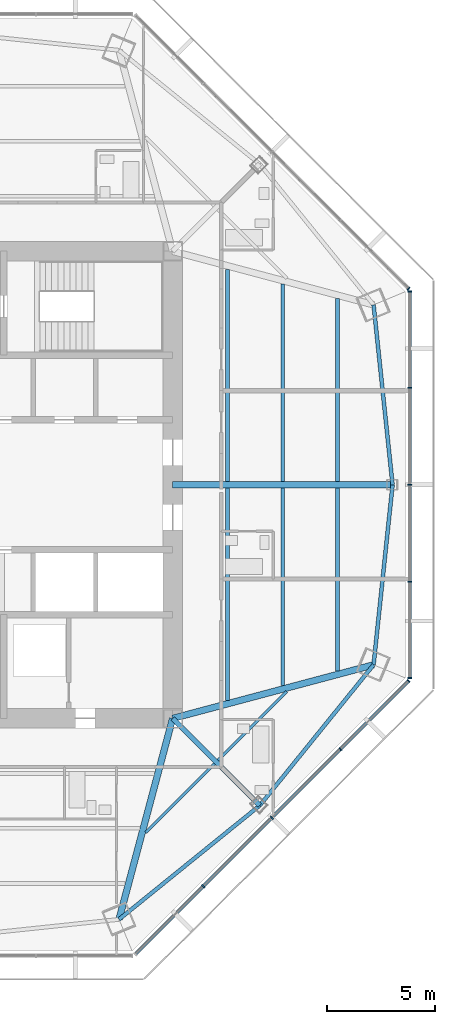
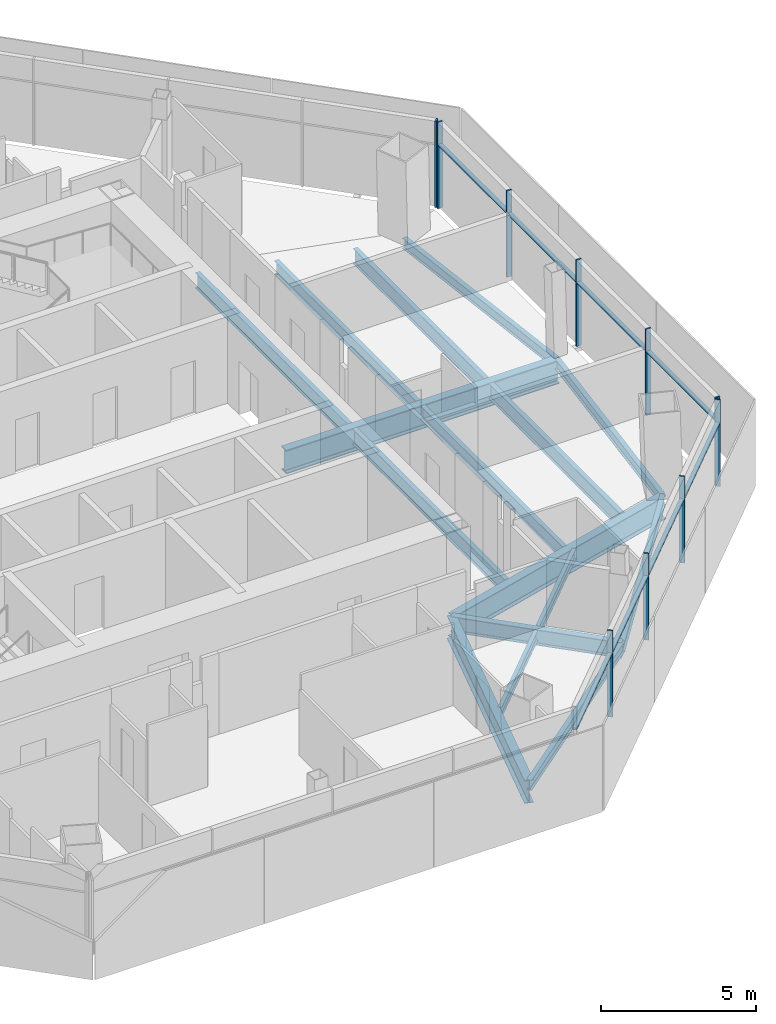
# One storey, part 4 of 15: 18 members, 16 beams, 3 elements without a shape of their own.
"""IFC4 building model written with IfcOpenShell, lengths in metres."""

from ifc_helpers import new_model, si_unit, direction, frame, origin, origin_2d, place, context, subcontext, project, spatial, rectangle, i_section, extrude, source, transform, mapped, material, material_profile, profile_set, type_object, type_shapes, element, aggregate, save


model = new_model("IFC4")

# Units and contexts
model_context = context("Model", 3, precision=1e-05, world=origin(), true_north=direction((0.0, 1.0)))
body_context = subcontext(model_context, "Body", "Model", "MODEL_VIEW")
ifc_project = project(units=[si_unit("LENGTHUNIT", "METRE"), si_unit("AREAUNIT", "SQUARE_METRE"), si_unit("VOLUMEUNIT", "CUBIC_METRE"), si_unit("PLANEANGLEUNIT", "RADIAN"), si_unit("MASSUNIT", "GRAM", prefix="KILO")], contexts=[model_context])

# Site, building, storey
site_placement = place(None, origin())
site = spatial("IfcSite", under=ifc_project, at=site_placement, CompositionType="ELEMENT")
building_placement = place(site_placement, origin())
building = spatial("IfcBuilding", under=site, at=building_placement, Name="Mashrafa Tower", CompositionType="ELEMENT")
storey_placement = place(building_placement, frame((0.0, 0.0, 221.0)))
storey = spatial("IfcBuildingStorey", under=building, at=storey_placement, Name="L51", CompositionType="ELEMENT", Elevation=221.0)

# Beams
ifc_material_1 = material(Name="Steel ASTM A992", Category="steel")
ifc_material_profile_1 = material_profile(ifc_material_1, i_section(OverallWidth=0.140380859375, OverallDepth=0.40380859375, WebThickness=0.007080078125, FlangeThickness=0.01123046875, FilletRadius=0.01025390625, at=origin_2d()), Name="W16X31")
ifc_profile_set_1 = profile_set([ifc_material_profile_1], Name="Steel ASTM A992")
beam_type_1 = type_object("IfcBeamType", Name="Beam W16X31", PredefinedType="BEAM", material=ifc_profile_set_1)
for number, where, z_axis, x_axis, name in (
    (1, (12.732421875, -12.89453125, -0.40185546875), (-0.707106781187, -0.707106781187, 0.0), (0.707106781187, -0.707106781187, 0.0), "Floor beam L51 024"),
    (2, (16.076904296875, -9.550048828125, -0.40185546875), (-0.707106781187, -0.707106781187, 0.0), (0.707106781187, -0.707106781187, 0.0), "Floor beam L51 030"),
):
    element("IfcBeam", number, at=place(storey_placement, frame(where, z_axis=z_axis, x_axis=x_axis)), inside=storey, type_object=beam_type_1, Name=name, PredefinedType="BEAM", context=body_context, shape_type="SweptSolid", body=[
        extrude(i_section(OverallWidth=0.140380859375, OverallDepth=0.40380859375, WebThickness=0.007080078125, FlangeThickness=0.01123046875, FilletRadius=0.01025390625, at=origin_2d()), origin(), (0.0, 0.0, 1.0), 4.50048828125),
    ])
ifc_material_2 = material(Name="Steel ASTM A992", Category="steel")
ifc_material_profile_2 = material_profile(ifc_material_2, i_section(OverallWidth=0.177734375, OverallDepth=0.406494140625, WebThickness=0.0078125, FlangeThickness=0.012939453125, FilletRadius=0.01025390625, at=origin_2d()), Name="W16X40")
ifc_profile_set_2 = profile_set([ifc_material_profile_2], Name="Steel ASTM A992")
beam_type_2 = type_object("IfcBeamType", Name="Beam W16X40", PredefinedType="BEAM", material=ifc_profile_set_2)
for number, where, z_axis, x_axis, name in (
    (3, (8.32177734375, -20.09033203125, -0.4033203125), (0.777398402016, 0.629008525016, 0.0), (-0.629008525016, 0.777398402016, 0.0), "Spandrel beam L51 058"),
    (4, (14.826904296875, -14.826904296875, -0.4033203125), (0.629008525016, 0.777398402016, 0.0), (-0.777398402016, 0.629008525016, 0.0), "Spandrel beam L51 060"),
    (5, (20.09033203125, -8.32177734375, -0.4033203125), (0.104944483385, 0.994478081914, 0.0), (-0.994478081914, 0.104944483385, 0.0), "Spandrel beam L51 062"),
    (6, (20.968505859375, 0.0, -0.4033203125), (-0.104944483385, 0.994478081914, 0.0), (-0.994478081914, -0.104944483385, 0.0), "Spandrel beam L51 064"),
):
    element("IfcBeam", number, at=place(storey_placement, frame(where, z_axis=z_axis, x_axis=x_axis)), inside=storey, type_object=beam_type_2, Name=name, PredefinedType="BEAM", context=body_context, shape_type="SweptSolid", body=[
        extrude(i_section(OverallWidth=0.177734375, OverallDepth=0.406494140625, WebThickness=0.0078125, FlangeThickness=0.012939453125, FilletRadius=0.01025390625, at=origin_2d()), origin(), (0.0, 0.0, 1.0), 8.367919921875),
    ])
ifc_material_3 = material(Name="Steel ASTM A992", Category="steel")
ifc_material_profile_3 = material_profile(ifc_material_3, i_section(OverallWidth=0.1650390625, OverallDepth=0.52587890625, WebThickness=0.0087890625, FlangeThickness=0.011474609375, FilletRadius=0.0126953125, at=origin_2d()), Name="W21X44")
ifc_profile_set_3 = profile_set([ifc_material_profile_3], Name="Steel ASTM A992")
beam_type_3 = type_object("IfcBeamType", Name="Beam W21X44", PredefinedType="BEAM", material=ifc_profile_set_3)
for number, where, z_axis, x_axis, name in (
    (7, (15.88427734375, -0.15380859375, -0.462890625), (0.0, -1.0, 0.0), (1.0, 0.0, 0.0), "Floor beam L51 028"),
    (8, (15.88427734375, 9.285888671875, -0.462890625), (0.0, -1.0, 0.0), (1.0, 0.0, 0.0), "Floor beam L51 029"),
):
    element("IfcBeam", number, at=place(storey_placement, frame(where, z_axis=z_axis, x_axis=x_axis)), inside=storey, type_object=beam_type_3, Name=name, PredefinedType="BEAM", context=body_context, shape_type="SweptSolid", body=[
        extrude(i_section(OverallWidth=0.1650390625, OverallDepth=0.52587890625, WebThickness=0.0087890625, FlangeThickness=0.011474609375, FilletRadius=0.0126953125, at=origin_2d()), origin(), (0.0, 0.0, 1.0), 9.132080078125),
    ])
ifc_material_4 = material(Name="Steel ASTM A992", Category="steel")
ifc_material_profile_4 = material_profile(ifc_material_4, i_section(OverallWidth=0.177978515625, OverallDepth=0.599365234375, WebThickness=0.010009765625, FlangeThickness=0.012939453125, FilletRadius=0.012939453125, at=origin_2d()), Name="W24X55")
ifc_profile_set_4 = profile_set([ifc_material_profile_4], Name="Steel ASTM A992")
beam_type_4 = type_object("IfcBeamType", Name="Beam W24X55", PredefinedType="BEAM", material=ifc_profile_set_4)
for number, where, z_axis, x_axis, name in (
    (9, (13.34228515625, -0.15380859375, -0.499755859375), (0.0, -1.0, 0.0), (1.0, 0.0, 0.0), "Floor beam L51 026"),
    (10, (13.34228515625, 9.964111328125, -0.499755859375), (0.0, -1.0, 0.0), (1.0, 0.0, 0.0), "Floor beam L51 027"),
):
    element("IfcBeam", number, at=place(storey_placement, frame(where, z_axis=z_axis, x_axis=x_axis)), inside=storey, type_object=beam_type_4, Name=name, PredefinedType="BEAM", context=body_context, shape_type="SweptSolid", body=[
        extrude(i_section(OverallWidth=0.177978515625, OverallDepth=0.599365234375, WebThickness=0.010009765625, FlangeThickness=0.012939453125, FilletRadius=0.012939453125, at=origin_2d()), origin(), (0.0, 0.0, 1.0), 9.810302734375),
    ])
for number, where, z_axis, x_axis, name in (
    (11, (18.426513671875, -0.15380859375, -0.499755859375), (0.0, -1.0, 0.0), (1.0, 0.0, 0.0), "Floor beam L51 031"),
    (12, (18.426513671875, 8.60791015625, -0.499755859375), (0.0, -1.0, 0.0), (1.0, 0.0, 0.0), "Floor beam L51 032"),
):
    element("IfcBeam", number, at=place(storey_placement, frame(where, z_axis=z_axis, x_axis=x_axis)), inside=storey, type_object=beam_type_4, Name=name, PredefinedType="BEAM", context=body_context, shape_type="SweptSolid", body=[
        extrude(i_section(OverallWidth=0.177978515625, OverallDepth=0.599365234375, WebThickness=0.010009765625, FlangeThickness=0.012939453125, FilletRadius=0.012939453125, at=origin_2d()), origin(), (0.0, 0.0, 1.0), 8.4541015625),
    ])
ifc_material_5 = material(Name="Steel ASTM A992", Category="steel")
ifc_material_profile_5 = material_profile(ifc_material_5, i_section(OverallWidth=0.22900390625, OverallDepth=0.612060546875, WebThickness=0.011962890625, FlangeThickness=0.01953125, FilletRadius=0.0126953125, at=origin_2d()), Name="W24X84")
ifc_profile_set_5 = profile_set([ifc_material_profile_5], Name="Steel ASTM A992")
beam_type_5 = type_object("IfcBeamType", Name="Beam W24X84", PredefinedType="BEAM", material=ifc_profile_set_5)
beam_1_placement = place(storey_placement, frame((10.800048828125, -10.800048828125, -0.506103515625), z_axis=(0.707106781187, -0.707106781187, 0.0), x_axis=(0.707106781187, 0.707106781187, 0.0)))
element("IfcBeam", 13, at=beam_1_placement, inside=storey, type_object=beam_type_5, Name="Radial girder L51 043", PredefinedType="BEAM", context=body_context, shape_type="SweptSolid", body=[
    extrude(i_section(OverallWidth=0.22900390625, OverallDepth=0.612060546875, WebThickness=0.011962890625, FlangeThickness=0.01953125, FilletRadius=0.0126953125, at=origin_2d()), origin(), (0.0, 0.0, 1.0), 5.69482421875),
])
ifc_material_6 = material(Name="Steel ASTM A992", Category="steel")
ifc_material_profile_6 = material_profile(ifc_material_6, i_section(OverallWidth=0.3046875, OverallDepth=0.911865234375, WebThickness=0.015869140625, FlangeThickness=0.02392578125, FilletRadius=0.01904296875, at=origin_2d()), Name="W36X150")
ifc_profile_set_6 = profile_set([ifc_material_profile_6], Name="Steel ASTM A992")
beam_type_6 = type_object("IfcBeamType", Name="Beam W36X150", PredefinedType="BEAM", material=ifc_profile_set_6)
for number, where, z_axis, x_axis, name in (
    (14, (10.800048828125, -10.800048828125, -0.656005859375), (-0.257746409055, -0.966212600114, 0.0), (0.966212600114, -0.257746409055, 0.0), "Radial girder L51 042"),
    (15, (10.800048828125, -10.800048828125, -0.656005859375), (0.966212600114, 0.257746409055, 0.0), (-0.257746409055, 0.966212600114, 0.0), "Radial girder L51 044"),
):
    element("IfcBeam", number, at=place(storey_placement, frame(where, z_axis=z_axis, x_axis=x_axis)), inside=storey, type_object=beam_type_6, Name=name, PredefinedType="BEAM", context=body_context, shape_type="SweptSolid", body=[
        extrude(i_section(OverallWidth=0.3046875, OverallDepth=0.911865234375, WebThickness=0.015869140625, FlangeThickness=0.02392578125, FilletRadius=0.01904296875, at=origin_2d()), origin(), (0.0, 0.0, 1.0), 9.615234375),
    ])
ifc_material_7 = material(Name="Steel ASTM A992", Category="steel")
ifc_material_profile_7 = material_profile(ifc_material_7, i_section(OverallWidth=0.307373046875, OverallDepth=0.927001953125, WebThickness=0.01953125, FlangeThickness=0.031982421875, FilletRadius=0.01904296875, at=origin_2d()), Name="W36X194")
ifc_profile_set_7 = profile_set([ifc_material_profile_7], Name="Steel ASTM A992")
beam_type_7 = type_object("IfcBeamType", Name="Beam W36X194", PredefinedType="BEAM", material=ifc_profile_set_7)
beam_2_placement = place(storey_placement, frame((10.800048828125, 0.0, -0.66357421875), z_axis=(1.0, 0.0, 0.0), x_axis=(0.0, 1.0, 0.0)))
element("IfcBeam", 16, at=beam_2_placement, inside=storey, type_object=beam_type_7, Name="Radial girder L51 045", PredefinedType="BEAM", context=body_context, shape_type="SweptSolid", body=[
    extrude(i_section(OverallWidth=0.307373046875, OverallDepth=0.927001953125, WebThickness=0.01953125, FlangeThickness=0.031982421875, FilletRadius=0.01904296875, at=origin_2d()), origin(), (0.0, 0.0, 1.0), 10.16845703125),
])

# Curtain wall, members
ifc_material_8 = material(Name="Unitised aluminium curtain wall", Category="aluminium")
curtain_wall_type = type_object("IfcCurtainWallType", Name="Apartment curtain wall, zone 3 CW-C 180 deep", PredefinedType="NOTDEFINED", material=ifc_material_8)
curtain_wall_1_placement = place(storey_placement, origin())
curtain_wall_1 = element("IfcCurtainWall", 17, at=curtain_wall_1_placement, inside=storey, type_object=curtain_wall_type, Name="Apartment curtain wall, zone 3 L51 east", PredefinedType="NOTDEFINED")
ifc_material_9 = material(Name="Extruded aluminium mullion", Category="aluminium")
ifc_material_profile_8 = material_profile(ifc_material_9, rectangle(XDim=0.179931640625, YDim=0.06005859375, at=origin_2d()), Name="Mullion 60x180")
ifc_profile_set_8 = profile_set([ifc_material_profile_8], Name="Extruded aluminium mullion")
member_type_1 = type_object("IfcMemberType", Name="Mullion CW-C 60 x 180", PredefinedType="MULLION", material=ifc_profile_set_8)
shared_shape_1 = source(origin(), body_context, "Body", "SweptSolid", [
    extrude(rectangle(XDim=0.179931640625, YDim=0.06005859375, at=origin_2d()), origin(), (0.0, 0.0, 1.0), 3.39990234375),
])
type_shapes(member_type_1, [shared_shape_1])
member_1_placement = place(storey_placement, frame((21.762939453125, -8.937255859375, 0.0), z_axis=(0.0, 0.0, 1.0), x_axis=(-1.0, 0.0, 0.0)))
member_1 = element("IfcMember", 18, at=member_1_placement, type_object=member_type_1, Name="CW-C mullion 1", PredefinedType="MULLION", context=body_context, shape_type="MappedRepresentation", body=[
    mapped(shared_shape_1, transform((0.0, 0.0, 0.0))),
])
member_2_placement = place(storey_placement, frame((21.762939453125, -4.483642578125, 0.0), z_axis=(0.0, 0.0, 1.0), x_axis=(-1.0, 0.0, 0.0)))
member_2 = element("IfcMember", 19, at=member_2_placement, type_object=member_type_1, Name="CW-C mullion 2", PredefinedType="MULLION", context=body_context, shape_type="MappedRepresentation", body=[
    mapped(shared_shape_1, transform((0.0, 0.0, 0.0))),
])
member_3_placement = place(storey_placement, frame((21.762939453125, 0.0, 0.0), z_axis=(0.0, 0.0, 1.0), x_axis=(-1.0, 0.0, 0.0)))
member_3 = element("IfcMember", 20, at=member_3_placement, type_object=member_type_1, Name="CW-C mullion 3", PredefinedType="MULLION", context=body_context, shape_type="MappedRepresentation", body=[
    mapped(shared_shape_1, transform((0.0, 0.0, 0.0))),
])
member_4_placement = place(storey_placement, frame((21.762939453125, 4.483642578125, 0.0), z_axis=(0.0, 0.0, 1.0), x_axis=(-1.0, 0.0, 0.0)))
member_4 = element("IfcMember", 21, at=member_4_placement, type_object=member_type_1, Name="CW-C mullion 4", PredefinedType="MULLION", context=body_context, shape_type="MappedRepresentation", body=[
    mapped(shared_shape_1, transform((0.0, 0.0, 0.0))),
])
member_5_placement = place(storey_placement, frame((21.762939453125, 8.937255859375, 0.0), z_axis=(0.0, 0.0, 1.0), x_axis=(-1.0, 0.0, 0.0)))
member_5 = element("IfcMember", 22, at=member_5_placement, type_object=member_type_1, Name="CW-C mullion 5", PredefinedType="MULLION", context=body_context, shape_type="MappedRepresentation", body=[
    mapped(shared_shape_1, transform((0.0, 0.0, 0.0))),
])

# Curtain wall, member
curtain_wall_2_placement = place(storey_placement, origin())
curtain_wall_2 = element("IfcCurtainWall", 23, at=curtain_wall_2_placement, inside=storey, type_object=curtain_wall_type, Name="Apartment curtain wall, zone 3 L51 north-east", PredefinedType="NOTDEFINED")
member_6_placement = place(storey_placement, frame((21.708251953125, 9.069091796875, 0.0), z_axis=(0.0, 0.0, 1.0), x_axis=(-0.707106781187, -0.707106781187, 0.0)))
member_6 = element("IfcMember", 24, at=member_6_placement, type_object=member_type_1, Name="CW-C mullion 1", PredefinedType="MULLION", context=body_context, shape_type="MappedRepresentation", body=[
    mapped(shared_shape_1, transform((0.0, 0.0, 0.0))),
])
aggregate(curtain_wall_2, [member_6])

# Curtain wall, members
curtain_wall_3_placement = place(storey_placement, origin())
curtain_wall_3 = element("IfcCurtainWall", 25, at=curtain_wall_3_placement, inside=storey, type_object=curtain_wall_type, Name="Apartment curtain wall, zone 3 L51 south-east", PredefinedType="NOTDEFINED")
member_7_placement = place(storey_placement, frame((12.21826171875, -18.55908203125, 0.0), z_axis=(0.0, 0.0, 1.0), x_axis=(-0.707106781187, 0.707106781187, 0.0)))
member_7 = element("IfcMember", 26, at=member_7_placement, type_object=member_type_1, Name="CW-C mullion 2", PredefinedType="MULLION", context=body_context, shape_type="MappedRepresentation", body=[
    mapped(shared_shape_1, transform((0.0, 0.0, 0.0))),
])
member_8_placement = place(storey_placement, frame((15.388671875, -15.388671875, 0.0), z_axis=(0.0, 0.0, 1.0), x_axis=(-0.707106781187, 0.707106781187, 0.0)))
member_8 = element("IfcMember", 27, at=member_8_placement, type_object=member_type_1, Name="CW-C mullion 3", PredefinedType="MULLION", context=body_context, shape_type="MappedRepresentation", body=[
    mapped(shared_shape_1, transform((0.0, 0.0, 0.0))),
])
member_9_placement = place(storey_placement, frame((18.55908203125, -12.21826171875, 0.0), z_axis=(0.0, 0.0, 1.0), x_axis=(-0.707106781187, 0.707106781187, 0.0)))
member_9 = element("IfcMember", 28, at=member_9_placement, type_object=member_type_1, Name="CW-C mullion 4", PredefinedType="MULLION", context=body_context, shape_type="MappedRepresentation", body=[
    mapped(shared_shape_1, transform((0.0, 0.0, 0.0))),
])
member_10_placement = place(storey_placement, frame((21.708251953125, -9.069091796875, 0.0), z_axis=(0.0, 0.0, 1.0), x_axis=(-0.707106781187, 0.707106781187, 0.0)))
member_10 = element("IfcMember", 29, at=member_10_placement, type_object=member_type_1, Name="CW-C mullion 5", PredefinedType="MULLION", context=body_context, shape_type="MappedRepresentation", body=[
    mapped(shared_shape_1, transform((0.0, 0.0, 0.0))),
])

# Member
ifc_material_10 = material(Name="Extruded aluminium transom", Category="aluminium")
ifc_material_profile_9 = material_profile(ifc_material_10, rectangle(XDim=0.14404296875, YDim=0.074951171875, at=origin_2d()), Name="Transom 75x144")
ifc_profile_set_9 = profile_set([ifc_material_profile_9], Name="Extruded aluminium transom")
member_type_2 = type_object("IfcMemberType", Name="Transom CW-C 75 x 144", PredefinedType="MULLION", material=ifc_profile_set_9)
shared_shape_2 = source(origin(), body_context, "Body", "SweptSolid", [
    extrude(rectangle(XDim=0.14404296875, YDim=0.074951171875, at=origin_2d()), origin(), (0.0, 0.0, 1.0), 4.3935546875),
])
member_11_placement = place(storey_placement, frame((21.762939453125, -8.9072265625, 2.5), z_axis=(0.0, 1.0, 0.0), x_axis=(-1.0, 0.0, 0.0)))
member_11 = element("IfcMember", 30, at=member_11_placement, type_object=member_type_2, Name="CW-C transom 1", PredefinedType="MULLION", context=body_context, shape_type="MappedRepresentation", body=[
    mapped(shared_shape_2, transform((0.0, 0.0, 0.0))),
])

member_12_placement = place(storey_placement, frame((21.762939453125, 4.513671875, 2.5), z_axis=(0.0, 1.0, 0.0), x_axis=(-1.0, 0.0, 0.0)))
member_12 = element("IfcMember", 31, at=member_12_placement, type_object=member_type_2, Name="CW-C transom 4", PredefinedType="MULLION", context=body_context, shape_type="MappedRepresentation", body=[
    mapped(shared_shape_2, transform((0.0, 0.0, 0.0))),
])

member_13_placement = place(storey_placement, frame((9.09033203125, -21.68701171875, 2.5), z_axis=(0.707106781187, 0.707106781187, 0.0), x_axis=(-0.707106781187, 0.707106781187, 0.0)))
member_13 = element("IfcMember", 32, at=member_13_placement, type_object=member_type_2, Name="CW-C transom 1", PredefinedType="MULLION", context=body_context, shape_type="MappedRepresentation", body=[
    mapped(shared_shape_2, transform((0.0, 0.0, 0.0))),
])

member_14_placement = place(storey_placement, frame((18.580322265625, -12.197021484375, 2.5), z_axis=(0.707106781187, 0.707106781187, 0.0), x_axis=(-0.707106781187, 0.707106781187, 0.0)))
member_14 = element("IfcMember", 33, at=member_14_placement, type_object=member_type_2, Name="CW-C transom 4", PredefinedType="MULLION", context=body_context, shape_type="MappedRepresentation", body=[
    mapped(shared_shape_2, transform((0.0, 0.0, 0.0))),
])

shared_shape_3 = source(origin(), body_context, "Body", "SweptSolid", [
    extrude(rectangle(XDim=0.14404296875, YDim=0.074951171875, at=origin_2d()), origin(), (0.0, 0.0, 1.0), 4.423583984375),
])
type_shapes(member_type_2, [shared_shape_2, shared_shape_3])
member_15_placement = place(storey_placement, frame((21.762939453125, -4.45361328125, 2.5), z_axis=(0.0, 1.0, 0.0), x_axis=(-1.0, 0.0, 0.0)))
member_15 = element("IfcMember", 34, at=member_15_placement, type_object=member_type_2, Name="CW-C transom 2", PredefinedType="MULLION", context=body_context, shape_type="MappedRepresentation", body=[
    mapped(shared_shape_3, transform((0.0, 0.0, 0.0))),
])

member_16_placement = place(storey_placement, frame((21.762939453125, 0.030029296875, 2.5), z_axis=(0.0, 1.0, 0.0), x_axis=(-1.0, 0.0, 0.0)))
member_16 = element("IfcMember", 35, at=member_16_placement, type_object=member_type_2, Name="CW-C transom 3", PredefinedType="MULLION", context=body_context, shape_type="MappedRepresentation", body=[
    mapped(shared_shape_3, transform((0.0, 0.0, 0.0))),
])

aggregate(curtain_wall_1, [member_1, member_2, member_3, member_4, member_5, member_11, member_15, member_16, member_12])

member_17_placement = place(storey_placement, frame((12.239501953125, -18.537841796875, 2.5), z_axis=(0.707106781187, 0.707106781187, 0.0), x_axis=(-0.707106781187, 0.707106781187, 0.0)))
member_17 = element("IfcMember", 36, at=member_17_placement, type_object=member_type_2, Name="CW-C transom 2", PredefinedType="MULLION", context=body_context, shape_type="MappedRepresentation", body=[
    mapped(shared_shape_3, transform((0.0, 0.0, 0.0))),
])

member_18_placement = place(storey_placement, frame((15.409912109375, -15.367431640625, 2.5), z_axis=(0.707106781187, 0.707106781187, 0.0), x_axis=(-0.707106781187, 0.707106781187, 0.0)))
member_18 = element("IfcMember", 37, at=member_18_placement, type_object=member_type_2, Name="CW-C transom 3", PredefinedType="MULLION", context=body_context, shape_type="MappedRepresentation", body=[
    mapped(shared_shape_3, transform((0.0, 0.0, 0.0))),
])

aggregate(curtain_wall_3, [member_7, member_8, member_9, member_10, member_13, member_17, member_18, member_14])

save(model, "model.ifc")
